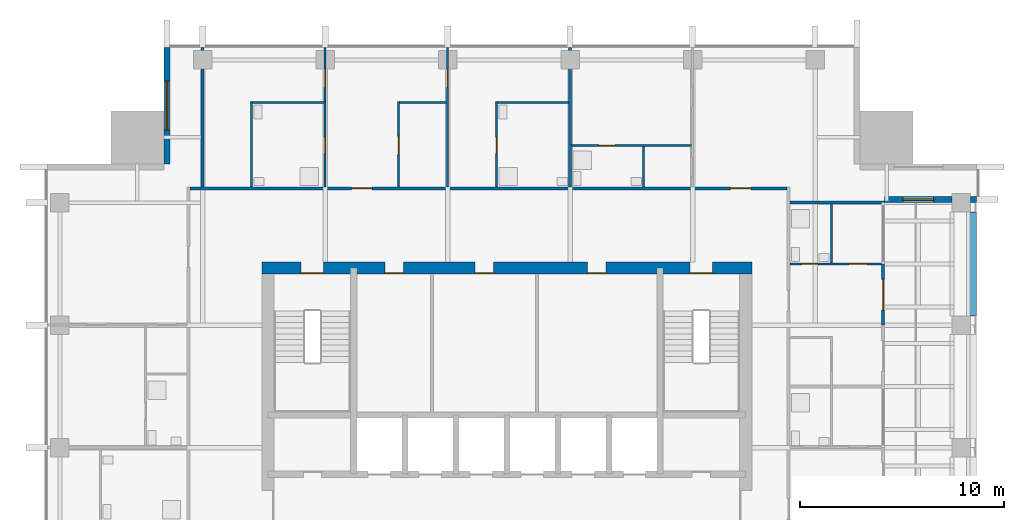
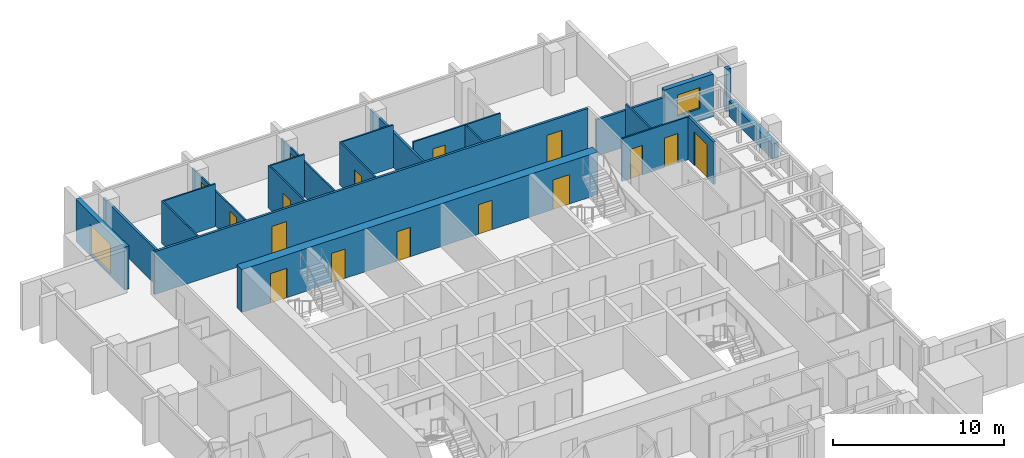
# One storey, part 12 of 17: 22 walls, 16 doors, 2 windows, 18 openings.
"""IFC4 building model written with IfcOpenShell, lengths in metres."""

from ifc_helpers import new_model, si_unit, direction, frame, frame_2d, origin, place, context, subcontext, project, spatial, rectangle, extrude, material, layer, layer_set, type_object, element, fill, save


model = new_model("IFC4")

# Units and contexts
model_context = context("Model", 3, precision=1e-05, world=origin(), true_north=direction((0.0, 1.0)))
body_context = subcontext(model_context, "Body", "Model", "MODEL_VIEW")
ifc_project = project(units=[si_unit("LENGTHUNIT", "METRE"), si_unit("AREAUNIT", "SQUARE_METRE"), si_unit("VOLUMEUNIT", "CUBIC_METRE"), si_unit("PLANEANGLEUNIT", "RADIAN"), si_unit("MASSUNIT", "GRAM", prefix="KILO")], contexts=[model_context])

# Site, building, storey
site_placement = place(None, origin())
site = spatial("IfcSite", under=ifc_project, at=site_placement, CompositionType="ELEMENT")
building_placement = place(site_placement, origin())
building = spatial("IfcBuilding", under=site, at=building_placement, Name="Amberfall Residences", CompositionType="ELEMENT")
storey_placement = place(building_placement, frame((0.0, 0.0, 216.699951171875)))
storey = spatial("IfcBuildingStorey", under=building, at=storey_placement, Name="L58", CompositionType="ELEMENT", Elevation=216.699951171875)

# Wall, opening, window
ifc_material_1 = material(Name="Pale stone cladding on insulated backing", Category="masonry")
ifc_layer_1 = layer(ifc_material_1, 0.300048828125)
ifc_layer_set_1 = layer_set([ifc_layer_1], Name="Bronze clad wall 300")
wall_type_1 = type_object("IfcWallType", Name="Bronze clad wall 300", PredefinedType="SOLIDWALL", material=ifc_layer_set_1)
wall_1_placement = place(storey_placement, frame((93.0, 60.550048828125, 0.0), z_axis=(0.0, 0.0, 1.0), x_axis=(1.0, 0.0, 0.0)))
wall_1 = element("IfcWall", 1, at=wall_1_placement, inside=storey, type_object=wall_type_1, Name="External wall L58 E", PredefinedType="SOLIDWALL", context=body_context, shape_type="SweptSolid", body=[
    extrude(rectangle(XDim=3.300048828125, YDim=0.300048828125, at=frame_2d((1.64990234375, 0.0))), origin(), (0.0, 0.0, 1.0), 3.050048828125),
])
opening_1_placement = place(wall_1_placement, frame((0.89990234375, 0.0, 0.89990234375)))
opening_1 = element("IfcOpeningElement", 2, at=opening_1_placement, cuts=wall_1, Name="Opening WN1", PredefinedType="OPENING", context=body_context, shape_type="SweptSolid", body=[
    extrude(rectangle(XDim=1.5, YDim=1.5, at=frame_2d((0.75, 0.75))), frame((0.0, 0.159912109375, 0.0), z_axis=(0.0, -1.0, 0.0), x_axis=(1.0, 0.0, 0.0)), (0.0, 0.0, 1.0), 0.320068359375),
])
ifc_material_2 = material(Name="Bronze aluminium framed glazing", Category="aluminium")
window_type_1 = type_object("IfcWindowType", Name="Window 1500 x 1500 bronze", PartitioningType="DOUBLE_PANEL_VERTICAL", PredefinedType="WINDOW", material=ifc_material_2)
window_1_placement = place(opening_1_placement, origin())
window_1 = element("IfcWindow", 3, at=window_1_placement, inside=storey, type_object=window_type_1, Name="Window L58 E", OverallHeight=1.5, OverallWidth=1.5, PartitioningType="DOUBLE_PANEL_VERTICAL", PredefinedType="WINDOW", context=body_context, shape_type="SweptSolid", body=[
    extrude(rectangle(XDim=1.5, YDim=1.5, at=frame_2d((0.75, 0.75))), frame((0.0, 0.030029296875, 0.0), z_axis=(0.0, -1.0, 0.0), x_axis=(1.0, 0.0, 0.0)), (0.0, 0.0, 1.0), 0.06005859375),
])
fill(opening_1, window_1)

# Wall
wall_2_placement = place(storey_placement, frame((97.199951171875, 60.550048828125, 0.0), z_axis=(0.0, 0.0, 1.0), x_axis=(1.0, 0.0, 0.0)))
element("IfcWall", 4, at=wall_2_placement, inside=storey, type_object=wall_type_1, Name="External wall L58 E", PredefinedType="SOLIDWALL", context=body_context, shape_type="SweptSolid", body=[
    extrude(rectangle(XDim=0.300048828125, YDim=0.300048828125, at=frame_2d((0.14990234375, 0.0))), origin(), (0.0, 0.0, 1.0), 3.050048828125),
])

# Wall, opening, window
wall_3_placement = place(storey_placement, frame((57.85009765625, 68.0, 0.0), z_axis=(0.0, 0.0, 1.0), x_axis=(0.0, -1.0, 0.0)))
wall_3 = element("IfcWall", 5, at=wall_3_placement, inside=storey, type_object=wall_type_1, Name="External wall L58 NW", PredefinedType="SOLIDWALL", context=body_context, shape_type="SweptSolid", body=[
    extrude(rectangle(XDim=5.699951171875, YDim=0.300048828125, at=frame_2d((2.85009765625, 0.0))), origin(), (0.0, 0.0, 1.0), 3.050048828125),
])
opening_2_placement = place(wall_3_placement, frame((1.64990234375, 0.0, 0.14990234375)))
opening_2 = element("IfcOpeningElement", 6, at=opening_2_placement, cuts=wall_3, Name="Opening WN5", PredefinedType="OPENING", context=body_context, shape_type="SweptSolid", body=[
    extrude(rectangle(XDim=2.39990234375, YDim=2.10009765625, at=frame_2d((1.199951171875, 1.050048828125))), frame((0.0, 0.159912109375, 0.0), z_axis=(0.0, -1.0, 0.0), x_axis=(1.0, 0.0, 0.0)), (0.0, 0.0, 1.0), 0.320068359375),
])
window_type_2 = type_object("IfcWindowType", Name="Glazed opening 2400 x 2100 bronze", PartitioningType="DOUBLE_PANEL_VERTICAL", PredefinedType="WINDOW", material=ifc_material_2)
window_2_placement = place(opening_2_placement, origin())
window_2 = element("IfcWindow", 7, at=window_2_placement, inside=storey, type_object=window_type_2, Name="Window L58 NW", OverallHeight=2.10009765625, OverallWidth=2.39990234375, PartitioningType="DOUBLE_PANEL_VERTICAL", PredefinedType="WINDOW", context=body_context, shape_type="SweptSolid", body=[
    extrude(rectangle(XDim=2.39990234375, YDim=2.10009765625, at=frame_2d((1.199951171875, 1.050048828125))), frame((0.0, 0.030029296875, 0.0), z_axis=(0.0, -1.0, 0.0), x_axis=(1.0, 0.0, 0.0)), (0.0, 0.0, 1.0), 0.06005859375),
])
fill(opening_2, window_2)

# Wall, openings, doors
ifc_material_3 = material(Name="Concrete C55", Category="concrete")
ifc_layer_2 = layer(ifc_material_3, 0.60009765625)
ifc_layer_set_2 = layer_set([ifc_layer_2], Name="Core wall 600 C55")
wall_type_2 = type_object("IfcWallType", Name="Core wall 600 C55", PredefinedType="SHEAR", material=ifc_layer_set_2)
wall_4_placement = place(storey_placement, frame((62.5, 57.199951171875, 0.0), z_axis=(0.0, 0.0, 1.0), x_axis=(1.0, 0.0, 0.0)))
wall_4 = element("IfcWall", 8, at=wall_4_placement, inside=storey, type_object=wall_type_2, Name="Core wall RW7 L58 ON", PredefinedType="SHEAR", context=body_context, shape_type="SweptSolid", body=[
    extrude(rectangle(XDim=24.0, YDim=0.60009765625, at=frame_2d((12.0, 0.0))), origin(), (0.0, 0.0, 1.0), 3.050048828125),
])
opening_3_placement = place(wall_4_placement, frame((20.97509765625, 0.0, 0.0)))
opening_3 = element("IfcOpeningElement", 9, at=opening_3_placement, cuts=wall_4, Name="Opening SD1", PredefinedType="OPENING", context=body_context, shape_type="SweptSolid", body=[
    extrude(rectangle(XDim=1.10009765625, YDim=2.10009765625, at=frame_2d((0.550048828125, 1.050048828125))), frame((0.0, 0.31005859375, 0.0), z_axis=(0.0, -1.0, 0.0), x_axis=(1.0, 0.0, 0.0)), (0.0, 0.0, 1.0), 0.6201171875),
])
opening_4_placement = place(wall_4_placement, frame((1.925048828125, 0.0, 0.0)))
opening_4 = element("IfcOpeningElement", 10, at=opening_4_placement, cuts=wall_4, Name="Opening SD1", PredefinedType="OPENING", context=body_context, shape_type="SweptSolid", body=[
    extrude(rectangle(XDim=1.10009765625, YDim=2.10009765625, at=frame_2d((0.550048828125, 1.050048828125))), frame((0.0, 0.31005859375, 0.0), z_axis=(0.0, -1.0, 0.0), x_axis=(1.0, 0.0, 0.0)), (0.0, 0.0, 1.0), 0.6201171875),
])
opening_5_placement = place(wall_4_placement, frame((6.03759765625, 0.0, 0.0)))
opening_5 = element("IfcOpeningElement", 11, at=opening_5_placement, cuts=wall_4, Name="Opening RD1", PredefinedType="OPENING", context=body_context, shape_type="SweptSolid", body=[
    extrude(rectangle(XDim=0.89990234375, YDim=2.10009765625, at=frame_2d((0.449951171875, 1.050048828125))), frame((0.0, 0.31005859375, 0.0), z_axis=(0.0, -1.0, 0.0), x_axis=(1.0, 0.0, 0.0)), (0.0, 0.0, 1.0), 0.6201171875),
])
opening_6_placement = place(wall_4_placement, frame((10.447509765625, 0.0, 0.0)))
opening_6 = element("IfcOpeningElement", 12, at=opening_6_placement, cuts=wall_4, Name="Opening RD1", PredefinedType="OPENING", context=body_context, shape_type="SweptSolid", body=[
    extrude(rectangle(XDim=0.89990234375, YDim=2.10009765625, at=frame_2d((0.449951171875, 1.050048828125))), frame((0.0, 0.31005859375, 0.0), z_axis=(0.0, -1.0, 0.0), x_axis=(1.0, 0.0, 0.0)), (0.0, 0.0, 1.0), 0.6201171875),
])
opening_7_placement = place(wall_4_placement, frame((15.9599609375, 0.0, 0.0)))
opening_7 = element("IfcOpeningElement", 13, at=opening_7_placement, cuts=wall_4, Name="Opening RD1", PredefinedType="OPENING", context=body_context, shape_type="SweptSolid", body=[
    extrude(rectangle(XDim=0.89990234375, YDim=2.10009765625, at=frame_2d((0.449951171875, 1.050048828125))), frame((0.0, 0.31005859375, 0.0), z_axis=(0.0, -1.0, 0.0), x_axis=(1.0, 0.0, 0.0)), (0.0, 0.0, 1.0), 0.6201171875),
])
ifc_material_4 = material(Name="Steel fire door set", Category="steel")
door_type_1 = type_object("IfcDoorType", Name="Service room door 900 x 2100", OperationType="SINGLE_SWING_LEFT", PredefinedType="DOOR", material=ifc_material_4)
door_1_placement = place(opening_5_placement, origin())
door_1 = element("IfcDoor", 14, at=door_1_placement, inside=storey, type_object=door_type_1, Name="RD1 L58", OperationType="SINGLE_SWING_RIGHT", OverallHeight=2.10009765625, OverallWidth=0.89990234375, PredefinedType="DOOR", context=body_context, shape_type="SweptSolid", body=[
    extrude(rectangle(XDim=0.89990234375, YDim=2.10009765625, at=frame_2d((0.449951171875, 1.050048828125))), frame((0.0, -0.2373046875, 0.0), z_axis=(0.0, -1.0, 0.0), x_axis=(1.0, 0.0, 0.0)), (0.0, 0.0, 1.0), 0.050048828125),
])
fill(opening_5, door_1)
door_2_placement = place(opening_6_placement, origin())
door_2 = element("IfcDoor", 15, at=door_2_placement, inside=storey, type_object=door_type_1, Name="RD1 L58", OperationType="SINGLE_SWING_RIGHT", OverallHeight=2.10009765625, OverallWidth=0.89990234375, PredefinedType="DOOR", context=body_context, shape_type="SweptSolid", body=[
    extrude(rectangle(XDim=0.89990234375, YDim=2.10009765625, at=frame_2d((0.449951171875, 1.050048828125))), frame((0.0, -0.2373046875, 0.0), z_axis=(0.0, -1.0, 0.0), x_axis=(1.0, 0.0, 0.0)), (0.0, 0.0, 1.0), 0.050048828125),
])
fill(opening_6, door_2)
door_3_placement = place(opening_7_placement, origin())
door_3 = element("IfcDoor", 16, at=door_3_placement, inside=storey, type_object=door_type_1, Name="RD1 L58", OperationType="SINGLE_SWING_RIGHT", OverallHeight=2.10009765625, OverallWidth=0.89990234375, PredefinedType="DOOR", context=body_context, shape_type="SweptSolid", body=[
    extrude(rectangle(XDim=0.89990234375, YDim=2.10009765625, at=frame_2d((0.449951171875, 1.050048828125))), frame((0.0, -0.2373046875, 0.0), z_axis=(0.0, -1.0, 0.0), x_axis=(1.0, 0.0, 0.0)), (0.0, 0.0, 1.0), 0.050048828125),
])
fill(opening_7, door_3)
door_type_2 = type_object("IfcDoorType", Name="Stair door 1100 x 2100", OperationType="SINGLE_SWING_LEFT", PredefinedType="DOOR", material=ifc_material_4)
door_4_placement = place(opening_3_placement, origin())
door_4 = element("IfcDoor", 17, at=door_4_placement, inside=storey, type_object=door_type_2, Name="SD1 L58", OperationType="SINGLE_SWING_RIGHT", OverallHeight=2.10009765625, OverallWidth=1.10009765625, PredefinedType="DOOR", context=body_context, shape_type="SweptSolid", body=[
    extrude(rectangle(XDim=1.10009765625, YDim=2.10009765625, at=frame_2d((0.550048828125, 1.050048828125))), frame((0.0, -0.2373046875, 0.0), z_axis=(0.0, -1.0, 0.0), x_axis=(1.0, 0.0, 0.0)), (0.0, 0.0, 1.0), 0.050048828125),
])
fill(opening_3, door_4)
door_5_placement = place(opening_4_placement, origin())
door_5 = element("IfcDoor", 18, at=door_5_placement, inside=storey, type_object=door_type_2, Name="SD1 L58", OperationType="SINGLE_SWING_LEFT", OverallHeight=2.10009765625, OverallWidth=1.10009765625, PredefinedType="DOOR", context=body_context, shape_type="SweptSolid", body=[
    extrude(rectangle(XDim=1.10009765625, YDim=2.10009765625, at=frame_2d((0.550048828125, 1.050048828125))), frame((0.0, -0.2373046875, 0.0), z_axis=(0.0, -1.0, 0.0), x_axis=(1.0, 0.0, 0.0)), (0.0, 0.0, 1.0), 0.050048828125),
])
fill(opening_4, door_5)

# Wall
ifc_material_5 = material(Name="Gypsum board on metal stud")
ifc_layer_3 = layer(ifc_material_5, 0.10009765625)
ifc_layer_set_3 = layer_set([ifc_layer_3], Name="Flat partition 100")
wall_type_3 = type_object("IfcWallType", Name="Flat partition 100", PredefinedType="PARTITIONING", material=ifc_layer_set_3)
wall_5_placement = place(storey_placement, frame((62.0, 61.175048828125, 0.0), z_axis=(0.0, 0.0, 1.0), x_axis=(0.0, 1.0, 0.0)))
element("IfcWall", 19, at=wall_5_placement, inside=storey, type_object=wall_type_3, Name="Partition 005", PredefinedType="PARTITIONING", context=body_context, shape_type="SweptSolid", body=[
    extrude(rectangle(XDim=4.175048828125, YDim=0.10009765625, at=frame_2d((2.08740234375, 0.0))), origin(), (0.0, 0.0, 1.0), 3.050048828125),
])

# Wall, openings, doors
wall_6_placement = place(storey_placement, frame((65.60009765625, 61.175048828125, 0.0), z_axis=(0.0, 0.0, 1.0), x_axis=(0.0, 1.0, 0.0)))
wall_6 = element("IfcWall", 20, at=wall_6_placement, inside=storey, type_object=wall_type_3, Name="Partition 008", PredefinedType="PARTITIONING", context=body_context, shape_type="SweptSolid", body=[
    extrude(rectangle(XDim=6.824951171875, YDim=0.10009765625, at=frame_2d((3.41259765625, 0.0))), origin(), (0.0, 0.0, 1.0), 2.51611328125),
])
opening_8_placement = place(wall_6_placement, frame((4.875, 0.0, 0.0)))
opening_8 = element("IfcOpeningElement", 21, at=opening_8_placement, cuts=wall_6, Name="Opening D41", PredefinedType="OPENING", context=body_context, shape_type="SweptSolid", body=[
    extrude(rectangle(XDim=0.89990234375, YDim=2.10009765625, at=frame_2d((0.449951171875, 1.050048828125))), frame((0.0, 0.06005859375, 0.0), z_axis=(0.0, -1.0, 0.0), x_axis=(1.0, 0.0, 0.0)), (0.0, 0.0, 1.0), 0.1201171875),
])
opening_9_placement = place(wall_6_placement, frame((1.625, 0.0, 0.0)))
opening_9 = element("IfcOpeningElement", 22, at=opening_9_placement, cuts=wall_6, Name="Opening D42", PredefinedType="OPENING", context=body_context, shape_type="SweptSolid", body=[
    extrude(rectangle(XDim=0.800048828125, YDim=2.10009765625, at=frame_2d((0.39990234375, 1.050048828125))), frame((0.0, 0.06005859375, 0.0), z_axis=(0.0, -1.0, 0.0), x_axis=(1.0, 0.0, 0.0)), (0.0, 0.0, 1.0), 0.1201171875),
])
ifc_material_6 = material(Name="Timber", Category="wood")
door_type_3 = type_object("IfcDoorType", Name="Bathroom door 800 x 2100", OperationType="SINGLE_SWING_LEFT", PredefinedType="DOOR", material=ifc_material_6)
door_6_placement = place(opening_9_placement, origin())
door_6 = element("IfcDoor", 23, at=door_6_placement, inside=storey, type_object=door_type_3, Name="Door 5807 bath1", OperationType="SINGLE_SWING_LEFT", OverallHeight=2.10009765625, OverallWidth=0.800048828125, PredefinedType="DOOR", context=body_context, shape_type="SweptSolid", body=[
    extrude(rectangle(XDim=0.800048828125, YDim=2.10009765625, at=frame_2d((0.39990234375, 1.050048828125))), frame((0.0, 0.02490234375, 0.0), z_axis=(0.0, -1.0, 0.0), x_axis=(1.0, 0.0, 0.0)), (0.0, 0.0, 1.0), 0.050048828125),
])
fill(opening_9, door_6)
door_type_4 = type_object("IfcDoorType", Name="Internal door 900 x 2100", OperationType="SINGLE_SWING_LEFT", PredefinedType="DOOR", material=ifc_material_6)
door_7_placement = place(opening_8_placement, origin())
door_7 = element("IfcDoor", 24, at=door_7_placement, inside=storey, type_object=door_type_4, Name="Door 5807 bedroom1", OperationType="SINGLE_SWING_LEFT", OverallHeight=2.10009765625, OverallWidth=0.89990234375, PredefinedType="DOOR", context=body_context, shape_type="SweptSolid", body=[
    extrude(rectangle(XDim=0.89990234375, YDim=2.10009765625, at=frame_2d((0.449951171875, 1.050048828125))), frame((0.0, 0.02490234375, 0.0), z_axis=(0.0, -1.0, 0.0), x_axis=(1.0, 0.0, 0.0)), (0.0, 0.0, 1.0), 0.050048828125),
])
fill(opening_8, door_7)

# Wall, opening, door
wall_7_placement = place(storey_placement, frame((69.199951171875, 65.35009765625, 0.0), z_axis=(0.0, 0.0, 1.0), x_axis=(0.0, -1.0, 0.0)))
wall_7 = element("IfcWall", 25, at=wall_7_placement, inside=storey, type_object=wall_type_3, Name="Partition 009", PredefinedType="PARTITIONING", context=body_context, shape_type="SweptSolid", body=[
    extrude(rectangle(XDim=4.175048828125, YDim=0.10009765625, at=frame_2d((2.08740234375, 0.0))), origin(), (0.0, 0.0, 1.0), 3.050048828125),
])
opening_10_placement = place(wall_7_placement, frame((1.699951171875, 0.0, 0.0)))
opening_10 = element("IfcOpeningElement", 26, at=opening_10_placement, cuts=wall_7, Name="Opening D41", PredefinedType="OPENING", context=body_context, shape_type="SweptSolid", body=[
    extrude(rectangle(XDim=0.89990234375, YDim=2.10009765625, at=frame_2d((0.449951171875, 1.050048828125))), frame((0.0, 0.06005859375, 0.0), z_axis=(0.0, -1.0, 0.0), x_axis=(1.0, 0.0, 0.0)), (0.0, 0.0, 1.0), 0.1201171875),
])
door_8_placement = place(opening_10_placement, origin())
door_8 = element("IfcDoor", 27, at=door_8_placement, inside=storey, type_object=door_type_4, Name="Door 5807 kitchen", OperationType="SINGLE_SWING_LEFT", OverallHeight=2.10009765625, OverallWidth=0.89990234375, PredefinedType="DOOR", context=body_context, shape_type="SweptSolid", body=[
    extrude(rectangle(XDim=0.89990234375, YDim=2.10009765625, at=frame_2d((0.449951171875, 1.050048828125))), frame((0.0, 0.02490234375, 0.0), z_axis=(0.0, -1.0, 0.0), x_axis=(1.0, 0.0, 0.0)), (0.0, 0.0, 1.0), 0.050048828125),
])
fill(opening_10, door_8)

wall_8_placement = place(storey_placement, frame((71.60009765625, 68.0, 0.0), z_axis=(0.0, 0.0, 1.0), x_axis=(0.0, -1.0, 0.0)))
wall_8 = element("IfcWall", 28, at=wall_8_placement, inside=storey, type_object=wall_type_3, Name="Partition 011", PredefinedType="PARTITIONING", context=body_context, shape_type="SweptSolid", body=[
    extrude(rectangle(XDim=6.824951171875, YDim=0.10009765625, at=frame_2d((3.41259765625, 0.0))), origin(), (0.0, 0.0, 1.0), 2.51611328125),
])
opening_11_placement = place(wall_8_placement, frame((1.050048828125, 0.0, 0.0)))
opening_11 = element("IfcOpeningElement", 29, at=opening_11_placement, cuts=wall_8, Name="Opening D41", PredefinedType="OPENING", context=body_context, shape_type="SweptSolid", body=[
    extrude(rectangle(XDim=0.89990234375, YDim=2.10009765625, at=frame_2d((0.449951171875, 1.050048828125))), frame((0.0, 0.06005859375, 0.0), z_axis=(0.0, -1.0, 0.0), x_axis=(1.0, 0.0, 0.0)), (0.0, 0.0, 1.0), 0.1201171875),
])
door_9_placement = place(opening_11_placement, origin())
door_9 = element("IfcDoor", 30, at=door_9_placement, inside=storey, type_object=door_type_4, Name="Door 5807 bedroom2", OperationType="SINGLE_SWING_LEFT", OverallHeight=2.10009765625, OverallWidth=0.89990234375, PredefinedType="DOOR", context=body_context, shape_type="SweptSolid", body=[
    extrude(rectangle(XDim=0.89990234375, YDim=2.10009765625, at=frame_2d((0.449951171875, 1.050048828125))), frame((0.0, 0.02490234375, 0.0), z_axis=(0.0, -1.0, 0.0), x_axis=(1.0, 0.0, 0.0)), (0.0, 0.0, 1.0), 0.050048828125),
])
fill(opening_11, door_9)

wall_9_placement = place(storey_placement, frame((74.0, 65.35009765625, 0.0), z_axis=(0.0, 0.0, 1.0), x_axis=(0.0, -1.0, 0.0)))
wall_9 = element("IfcWall", 31, at=wall_9_placement, inside=storey, type_object=wall_type_3, Name="Partition 012", PredefinedType="PARTITIONING", context=body_context, shape_type="SweptSolid", body=[
    extrude(rectangle(XDim=4.175048828125, YDim=0.10009765625, at=frame_2d((2.08740234375, 0.0))), origin(), (0.0, 0.0, 1.0), 3.050048828125),
])
opening_12_placement = place(wall_9_placement, frame((1.75, 0.0, 0.0)))
opening_12 = element("IfcOpeningElement", 32, at=opening_12_placement, cuts=wall_9, Name="Opening D42", PredefinedType="OPENING", context=body_context, shape_type="SweptSolid", body=[
    extrude(rectangle(XDim=0.800048828125, YDim=2.10009765625, at=frame_2d((0.39990234375, 1.050048828125))), frame((0.0, 0.06005859375, 0.0), z_axis=(0.0, -1.0, 0.0), x_axis=(1.0, 0.0, 0.0)), (0.0, 0.0, 1.0), 0.1201171875),
])
door_10_placement = place(opening_12_placement, origin())
door_10 = element("IfcDoor", 33, at=door_10_placement, inside=storey, type_object=door_type_3, Name="Door 5807 bath2", OperationType="SINGLE_SWING_LEFT", OverallHeight=2.10009765625, OverallWidth=0.800048828125, PredefinedType="DOOR", context=body_context, shape_type="SweptSolid", body=[
    extrude(rectangle(XDim=0.800048828125, YDim=2.10009765625, at=frame_2d((0.39990234375, 1.050048828125))), frame((0.0, 0.02490234375, 0.0), z_axis=(0.0, -1.0, 0.0), x_axis=(1.0, 0.0, 0.0)), (0.0, 0.0, 1.0), 0.050048828125),
])
fill(opening_12, door_10)

# Walls
wall_10_placement = place(storey_placement, frame((81.199951171875, 61.175048828125, 0.0), z_axis=(0.0, 0.0, 1.0), x_axis=(0.0, 1.0, 0.0)))
element("IfcWall", 34, at=wall_10_placement, inside=storey, type_object=wall_type_3, Name="Partition 016", PredefinedType="PARTITIONING", context=body_context, shape_type="SweptSolid", body=[
    extrude(rectangle(XDim=1.974853515625, YDim=0.10009765625, at=frame_2d((0.9873046875, 0.0))), origin(), (0.0, 0.0, 1.0), 3.050048828125),
])
wall_11_placement = place(storey_placement, frame((90.39990234375, 57.449951171875, 0.0), z_axis=(0.0, 0.0, 1.0), x_axis=(0.0, 1.0, 0.0)))
element("IfcWall", 35, at=wall_11_placement, inside=storey, type_object=wall_type_3, Name="Partition 022", PredefinedType="PARTITIONING", context=body_context, shape_type="SweptSolid", body=[
    extrude(rectangle(XDim=2.875, YDim=0.10009765625, at=frame_2d((1.4375, 0.0))), origin(), (0.0, 0.0, 1.0), 3.050048828125),
])
wall_12_placement = place(storey_placement, frame((62.050048828125, 65.300048828125, 0.0), z_axis=(0.0, 0.0, 1.0), x_axis=(1.0, 0.0, 0.0)))
element("IfcWall", 36, at=wall_12_placement, inside=storey, type_object=wall_type_3, Name="Partition 023", PredefinedType="PARTITIONING", context=body_context, shape_type="SweptSolid", body=[
    extrude(rectangle(XDim=3.5, YDim=0.10009765625, at=frame_2d((1.75, 0.0))), origin(), (0.0, 0.0, 1.0), 3.050048828125),
])
wall_13_placement = place(storey_placement, frame((69.25, 65.300048828125, 0.0), z_axis=(0.0, 0.0, 1.0), x_axis=(1.0, 0.0, 0.0)))
element("IfcWall", 37, at=wall_13_placement, inside=storey, type_object=wall_type_3, Name="Partition 024", PredefinedType="PARTITIONING", context=body_context, shape_type="SweptSolid", body=[
    extrude(rectangle(XDim=2.300048828125, YDim=0.10009765625, at=frame_2d((1.14990234375, 0.0))), origin(), (0.0, 0.0, 1.0), 3.050048828125),
])
wall_14_placement = place(storey_placement, frame((74.050048828125, 65.300048828125, 0.0), z_axis=(0.0, 0.0, 1.0), x_axis=(1.0, 0.0, 0.0)))
element("IfcWall", 38, at=wall_14_placement, inside=storey, type_object=wall_type_3, Name="Partition 025", PredefinedType="PARTITIONING", context=body_context, shape_type="SweptSolid", body=[
    extrude(rectangle(XDim=3.474853515625, YDim=0.10009765625, at=frame_2d((1.7373046875, 0.0))), origin(), (0.0, 0.0, 1.0), 3.050048828125),
])

# Wall, opening, door
wall_15_placement = place(storey_placement, frame((83.550048828125, 63.199951171875, 0.0), z_axis=(0.0, 0.0, 1.0), x_axis=(-1.0, 0.0, 0.0)))
wall_15 = element("IfcWall", 39, at=wall_15_placement, inside=storey, type_object=wall_type_3, Name="Partition 026", PredefinedType="PARTITIONING", context=body_context, shape_type="SweptSolid", body=[
    extrude(rectangle(XDim=5.875, YDim=0.10009765625, at=frame_2d((2.9375, 0.0))), origin(), (0.0, 0.0, 1.0), 3.050048828125),
])
opening_13_placement = place(wall_15_placement, frame((3.75, 0.0, 0.0)))
opening_13 = element("IfcOpeningElement", 40, at=opening_13_placement, cuts=wall_15, Name="Opening D42", PredefinedType="OPENING", context=body_context, shape_type="SweptSolid", body=[
    extrude(rectangle(XDim=0.800048828125, YDim=2.10009765625, at=frame_2d((0.39990234375, 1.050048828125))), frame((0.0, 0.06005859375, 0.0), z_axis=(0.0, -1.0, 0.0), x_axis=(1.0, 0.0, 0.0)), (0.0, 0.0, 1.0), 0.1201171875),
])
door_11_placement = place(opening_13_placement, origin())
door_11 = element("IfcDoor", 41, at=door_11_placement, inside=storey, type_object=door_type_3, Name="Door 5808 bath1", OperationType="SINGLE_SWING_LEFT", OverallHeight=2.10009765625, OverallWidth=0.800048828125, PredefinedType="DOOR", context=body_context, shape_type="SweptSolid", body=[
    extrude(rectangle(XDim=0.800048828125, YDim=2.10009765625, at=frame_2d((0.39990234375, 1.050048828125))), frame((0.0, 0.02490234375, 0.0), z_axis=(0.0, -1.0, 0.0), x_axis=(1.0, 0.0, 0.0)), (0.0, 0.0, 1.0), 0.050048828125),
])
fill(opening_13, door_11)

# Wall, openings, doors
wall_16_placement = place(storey_placement, frame((88.375, 57.39990234375, 0.0), z_axis=(0.0, 0.0, 1.0), x_axis=(1.0, 0.0, 0.0)))
wall_16 = element("IfcWall", 42, at=wall_16_placement, inside=storey, type_object=wall_type_3, Name="Partition 027", PredefinedType="PARTITIONING", context=body_context, shape_type="SweptSolid", body=[
    extrude(rectangle(XDim=4.625, YDim=0.10009765625, at=frame_2d((2.3125, 0.0))), origin(), (0.0, 0.0, 1.0), 3.050048828125),
])
opening_14_placement = place(wall_16_placement, frame((2.875, 0.0, 0.0)))
opening_14 = element("IfcOpeningElement", 43, at=opening_14_placement, cuts=wall_16, Name="Opening D41", PredefinedType="OPENING", context=body_context, shape_type="SweptSolid", body=[
    extrude(rectangle(XDim=0.89990234375, YDim=2.10009765625, at=frame_2d((0.449951171875, 1.050048828125))), frame((0.0, 0.06005859375, 0.0), z_axis=(0.0, -1.0, 0.0), x_axis=(1.0, 0.0, 0.0)), (0.0, 0.0, 1.0), 0.1201171875),
])
opening_15_placement = place(wall_16_placement, frame((0.574951171875, 0.0, 0.0)))
opening_15 = element("IfcOpeningElement", 44, at=opening_15_placement, cuts=wall_16, Name="Opening D42", PredefinedType="OPENING", context=body_context, shape_type="SweptSolid", body=[
    extrude(rectangle(XDim=0.800048828125, YDim=2.10009765625, at=frame_2d((0.39990234375, 1.050048828125))), frame((0.0, 0.06005859375, 0.0), z_axis=(0.0, -1.0, 0.0), x_axis=(1.0, 0.0, 0.0)), (0.0, 0.0, 1.0), 0.1201171875),
])
door_12_placement = place(opening_15_placement, origin())
door_12 = element("IfcDoor", 45, at=door_12_placement, inside=storey, type_object=door_type_3, Name="Door 5806 bath1", OperationType="SINGLE_SWING_LEFT", OverallHeight=2.10009765625, OverallWidth=0.800048828125, PredefinedType="DOOR", context=body_context, shape_type="SweptSolid", body=[
    extrude(rectangle(XDim=0.800048828125, YDim=2.10009765625, at=frame_2d((0.39990234375, 1.050048828125))), frame((0.0, 0.02490234375, 0.0), z_axis=(0.0, -1.0, 0.0), x_axis=(1.0, 0.0, 0.0)), (0.0, 0.0, 1.0), 0.050048828125),
])
fill(opening_15, door_12)
door_13_placement = place(opening_14_placement, origin())
door_13 = element("IfcDoor", 46, at=door_13_placement, inside=storey, type_object=door_type_4, Name="Door 5806 bedroom1", OperationType="SINGLE_SWING_LEFT", OverallHeight=2.10009765625, OverallWidth=0.89990234375, PredefinedType="DOOR", context=body_context, shape_type="SweptSolid", body=[
    extrude(rectangle(XDim=0.89990234375, YDim=2.10009765625, at=frame_2d((0.449951171875, 1.050048828125))), frame((0.0, 0.02490234375, 0.0), z_axis=(0.0, -1.0, 0.0), x_axis=(1.0, 0.0, 0.0)), (0.0, 0.0, 1.0), 0.050048828125),
])
fill(opening_14, door_13)

# Walls
ifc_material_7 = material(Name="Blockwork, plastered", Category="masonry")
ifc_layer_4 = layer(ifc_material_7, 0.14990234375)
ifc_layer_set_4 = layer_set([ifc_layer_4], Name="Flat separating wall 150")
wall_type_4 = type_object("IfcWallType", Name="Flat separating wall 150", PredefinedType="PARTITIONING", material=ifc_layer_set_4)
wall_17_placement = place(storey_placement, frame((59.60009765625, 61.175048828125, 0.0), z_axis=(0.0, 0.0, 1.0), x_axis=(0.0, 1.0, 0.0)))
element("IfcWall", 47, at=wall_17_placement, inside=storey, type_object=wall_type_4, Name="Separating wall 045", PredefinedType="PARTITIONING", context=body_context, shape_type="SweptSolid", body=[
    extrude(rectangle(XDim=6.824951171875, YDim=0.14990234375, at=frame_2d((3.41259765625, 0.0))), origin(), (0.0, 0.0, 1.0), 2.510009765625),
])
wall_18_placement = place(storey_placement, frame((77.60009765625, 61.175048828125, 0.0), z_axis=(0.0, 0.0, 1.0), x_axis=(0.0, 1.0, 0.0)))
element("IfcWall", 48, at=wall_18_placement, inside=storey, type_object=wall_type_4, Name="Separating wall 047", PredefinedType="PARTITIONING", context=body_context, shape_type="SweptSolid", body=[
    extrude(rectangle(XDim=6.824951171875, YDim=0.14990234375, at=frame_2d((3.41259765625, 0.0))), origin(), (0.0, 0.0, 1.0), 2.51611328125),
])

# Wall, openings, doors
wall_19_placement = place(storey_placement, frame((58.97509765625, 61.10009765625, 0.0), z_axis=(0.0, 0.0, 1.0), x_axis=(1.0, 0.0, 0.0)))
wall_19 = element("IfcWall", 49, at=wall_19_placement, inside=storey, type_object=wall_type_4, Name="Separating wall 051", PredefinedType="PARTITIONING", context=body_context, shape_type="SweptSolid", body=[
    extrude(rectangle(XDim=29.25, YDim=0.14990234375, at=frame_2d((14.625, 0.0))), origin(), (0.0, 0.0, 1.0), 3.050048828125),
])
opening_16_placement = place(wall_19_placement, frame((7.925048828125, 0.0, 0.0)))
opening_16 = element("IfcOpeningElement", 50, at=opening_16_placement, cuts=wall_19, Name="Opening D40", PredefinedType="OPENING", context=body_context, shape_type="SweptSolid", body=[
    extrude(rectangle(XDim=1.0, YDim=2.10009765625, at=frame_2d((0.5, 1.050048828125))), frame((0.0, 0.0849609375, 0.0), z_axis=(0.0, -1.0, 0.0), x_axis=(1.0, 0.0, 0.0)), (0.0, 0.0, 1.0), 0.169921875),
])
opening_17_placement = place(wall_19_placement, frame((26.47509765625, 0.0, 0.0)))
opening_17 = element("IfcOpeningElement", 51, at=opening_17_placement, cuts=wall_19, Name="Opening D40", PredefinedType="OPENING", context=body_context, shape_type="SweptSolid", body=[
    extrude(rectangle(XDim=1.0, YDim=2.10009765625, at=frame_2d((0.5, 1.050048828125))), frame((0.0, 0.0849609375, 0.0), z_axis=(0.0, -1.0, 0.0), x_axis=(1.0, 0.0, 0.0)), (0.0, 0.0, 1.0), 0.169921875),
])
ifc_material_8 = material(Name="Timber, fire-rated", Category="wood")
door_type_5 = type_object("IfcDoorType", Name="Flat entrance door FD60 1000 x 2100", OperationType="SINGLE_SWING_LEFT", PredefinedType="DOOR", material=ifc_material_8)
door_14_placement = place(opening_16_placement, origin())
door_14 = element("IfcDoor", 52, at=door_14_placement, inside=storey, type_object=door_type_5, Name="Door 5807 entrance", OperationType="SINGLE_SWING_LEFT", OverallHeight=2.10009765625, OverallWidth=1.0, PredefinedType="DOOR", context=body_context, shape_type="SweptSolid", body=[
    extrude(rectangle(XDim=1.0, YDim=2.10009765625, at=frame_2d((0.5, 1.050048828125))), frame((0.0, 0.02490234375, 0.0), z_axis=(0.0, -1.0, 0.0), x_axis=(1.0, 0.0, 0.0)), (0.0, 0.0, 1.0), 0.050048828125),
])
fill(opening_16, door_14)
door_15_placement = place(opening_17_placement, origin())
door_15 = element("IfcDoor", 53, at=door_15_placement, inside=storey, type_object=door_type_5, Name="Door 5808 entrance", OperationType="SINGLE_SWING_LEFT", OverallHeight=2.10009765625, OverallWidth=1.0, PredefinedType="DOOR", context=body_context, shape_type="SweptSolid", body=[
    extrude(rectangle(XDim=1.0, YDim=2.10009765625, at=frame_2d((0.5, 1.050048828125))), frame((0.0, 0.02490234375, 0.0), z_axis=(0.0, -1.0, 0.0), x_axis=(1.0, 0.0, 0.0)), (0.0, 0.0, 1.0), 0.050048828125),
])
fill(opening_17, door_15)

# Wall
wall_20_placement = place(storey_placement, frame((88.375, 60.39990234375, 0.0), z_axis=(0.0, 0.0, 1.0), x_axis=(1.0, 0.0, 0.0)))
element("IfcWall", 54, at=wall_20_placement, inside=storey, type_object=wall_type_4, Name="Separating wall 052", PredefinedType="PARTITIONING", context=body_context, shape_type="SweptSolid", body=[
    extrude(rectangle(XDim=4.625, YDim=0.14990234375, at=frame_2d((2.3125, 0.0))), origin(), (0.0, 0.0, 1.0), 2.590087890625),
])

# Wall, opening, door
ifc_layer_5 = layer(ifc_material_1, 0.14990234375)
ifc_layer_set_5 = layer_set([ifc_layer_5], Name="Terrace door infill wall 150")
wall_type_5 = type_object("IfcWallType", Name="Terrace door infill wall 150", PredefinedType="SOLIDWALL", material=ifc_layer_set_5)
wall_21_placement = place(storey_placement, frame((92.925048828125, 54.39990234375, 0.0), z_axis=(0.0, 0.0, 1.0), x_axis=(0.0, 1.0, 0.0)))
wall_21 = element("IfcWall", 55, at=wall_21_placement, inside=storey, type_object=wall_type_5, Name="Terrace door wall L58 E5", PredefinedType="SOLIDWALL", context=body_context, shape_type="SweptSolid", body=[
    extrude(rectangle(XDim=3.0, YDim=0.14990234375, at=frame_2d((1.5, 0.0))), origin(), (0.0, 0.0, 1.0), 3.050048828125),
])
opening_18_placement = place(wall_21_placement, frame((0.75, 0.0, 0.0)))
opening_18 = element("IfcOpeningElement", 56, at=opening_18_placement, cuts=wall_21, Name="Opening TD2", PredefinedType="OPENING", context=body_context, shape_type="SweptSolid", body=[
    extrude(rectangle(XDim=1.5, YDim=2.39990234375, at=frame_2d((0.75, 1.199951171875))), frame((0.0, 0.0849609375, 0.0), z_axis=(0.0, -1.0, 0.0), x_axis=(1.0, 0.0, 0.0)), (0.0, 0.0, 1.0), 0.169921875),
])
ifc_material_9 = material(Name="Bronze aluminium framed glazed door", Category="aluminium")
door_type_6 = type_object("IfcDoorType", Name="Terrace sliding door 1500 x 2400", OperationType="DOUBLE_DOOR_SLIDING", PredefinedType="DOOR", material=ifc_material_9)
door_16_placement = place(opening_18_placement, origin())
door_16 = element("IfcDoor", 57, at=door_16_placement, inside=storey, type_object=door_type_6, Name="Terrace door TD2", OperationType="DOUBLE_DOOR_SLIDING", OverallHeight=2.39990234375, OverallWidth=1.5, PredefinedType="DOOR", context=body_context, shape_type="SweptSolid", body=[
    extrude(rectangle(XDim=1.5, YDim=2.39990234375, at=frame_2d((0.75, 1.199951171875))), frame((0.0, 0.02490234375, 0.0), z_axis=(0.0, -1.0, 0.0), x_axis=(1.0, 0.0, 0.0)), (0.0, 0.0, 1.0), 0.050048828125),
])
fill(opening_18, door_16)

# Wall
ifc_material_10 = material(Name="Pale stone faced Concrete C40", Category="masonry")
ifc_layer_6 = layer(ifc_material_10, 0.39990234375)
ifc_layer_set_6 = layer_set([ifc_layer_6], Name="Terrace parapet wall 400")
wall_type_6 = type_object("IfcWallType", Name="Terrace parapet wall 400", PredefinedType="PARAPET", material=ifc_layer_set_6)
wall_22_placement = place(storey_placement, frame((97.300048828125, 54.85009765625, 0.030029296875), z_axis=(0.0, 0.0, 1.0), x_axis=(0.0, 1.0, 0.0)))
element("IfcWall", 58, at=wall_22_placement, inside=storey, type_object=wall_type_6, Name="Terrace parapet L58 E5", PredefinedType="PARAPET", context=body_context, shape_type="SweptSolid", body=[
    extrude(rectangle(XDim=5.099853515625, YDim=0.39990234375, at=frame_2d((2.5498046875, 0.0))), origin(), (0.0, 0.0, 1.0), 1.10009765625),
])

save(model, "model.ifc")
